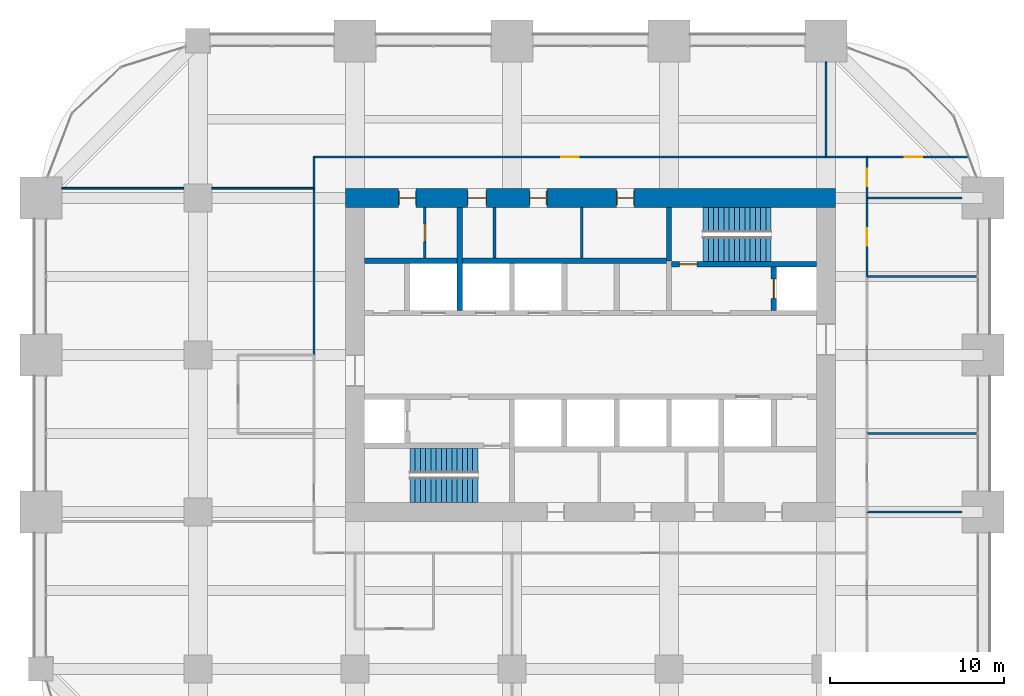
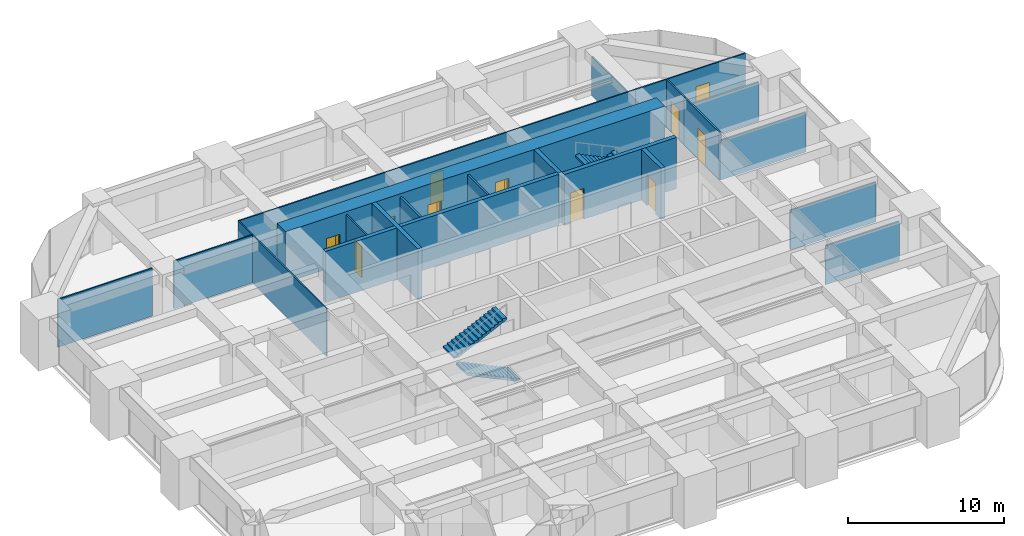
# One storey, part 31 of 32: 22 walls, 11 doors, 4 stair flights, 11 openings, 2 elements without a shape of their own.
"""IFC4 building model written with IfcOpenShell, lengths in metres."""

from ifc_helpers import new_model, si_unit, direction, frame, frame_2d, origin, place, context, subcontext, project, spatial, polyline, rectangle, outline, extrude, material, layer, layer_set, type_object, element, fill, aggregate, save


model = new_model("IFC4")

# Units and contexts
model_context = context("Model", 3, precision=1e-05, world=origin(), true_north=direction((0.0, 1.0)))
body_context = subcontext(model_context, "Body", "Model", "MODEL_VIEW")
ifc_project = project(units=[si_unit("LENGTHUNIT", "METRE"), si_unit("AREAUNIT", "SQUARE_METRE"), si_unit("VOLUMEUNIT", "CUBIC_METRE"), si_unit("PLANEANGLEUNIT", "RADIAN"), si_unit("MASSUNIT", "GRAM", prefix="KILO")], contexts=[model_context])

# Site, building, storey
site_placement = place(None, origin())
site = spatial("IfcSite", under=ifc_project, at=site_placement, CompositionType="ELEMENT")
building_placement = place(site_placement, origin())
building = spatial("IfcBuilding", under=site, at=building_placement, Name="Zorevar Civic Tower", CompositionType="ELEMENT")
storey_placement = place(building_placement, frame((0.0, 0.0, 182.199951171875)))
storey = spatial("IfcBuildingStorey", under=building, at=storey_placement, Name="L44", CompositionType="ELEMENT", Elevation=182.199951171875)

# Wall, openings, doors
ifc_material_1 = material(Name="Concrete C50/60", Category="concrete")
ifc_layer_1 = layer(ifc_material_1, 1.10009765625)
ifc_layer_set_1 = layer_set([ifc_layer_1], Name="Core wall 1100")
wall_type_1 = type_object("IfcWallType", Name="Core wall 1100", PredefinedType="SHEAR", material=ifc_layer_set_1)
wall_1_placement = place(storey_placement, frame((45.550048828125, 36.0, 0.0), z_axis=(0.0, 0.0, 1.0), x_axis=(-1.0, 0.0, 0.0)))
wall_1 = element("IfcWall", 1, at=wall_1_placement, inside=storey, type_object=wall_type_1, Name="Core wall N L44", PredefinedType="SHEAR", context=body_context, shape_type="SweptSolid", body=[
    extrude(rectangle(XDim=28.10009765625, YDim=1.10009765625, at=frame_2d((14.050048828125, 0.0))), origin(), (0.0, 0.0, 1.0), 4.0),
])
opening_1_placement = place(wall_1_placement, frame((11.550048828125, 0.0, 0.0)))
opening_1 = element("IfcOpeningElement", 2, at=opening_1_placement, cuts=wall_1, Name="Opening L44.07", PredefinedType="OPENING", context=body_context, shape_type="SweptSolid", body=[
    extrude(rectangle(XDim=1.0, YDim=2.39990234375, at=frame_2d((0.5, 1.199951171875))), frame((0.0, 0.56005859375, 0.0), z_axis=(0.0, -1.0, 0.0), x_axis=(1.0, 0.0, 0.0)), (0.0, 0.0, 1.0), 1.1201171875),
])
opening_2_placement = place(wall_1_placement, frame((16.550048828125, 0.0, 0.0)))
opening_2 = element("IfcOpeningElement", 3, at=opening_2_placement, cuts=wall_1, Name="Opening L44.08", PredefinedType="OPENING", context=body_context, shape_type="SweptSolid", body=[
    extrude(rectangle(XDim=1.0, YDim=2.39990234375, at=frame_2d((0.5, 1.199951171875))), frame((0.0, 0.56005859375, 0.0), z_axis=(0.0, -1.0, 0.0), x_axis=(1.0, 0.0, 0.0)), (0.0, 0.0, 1.0), 1.1201171875),
])
opening_3_placement = place(wall_1_placement, frame((20.0, 0.0, 0.0)))
opening_3 = element("IfcOpeningElement", 4, at=opening_3_placement, cuts=wall_1, Name="Opening L44.09", PredefinedType="OPENING", context=body_context, shape_type="SweptSolid", body=[
    extrude(rectangle(XDim=1.10009765625, YDim=2.39990234375, at=frame_2d((0.550048828125, 1.199951171875))), frame((0.0, 0.56005859375, 0.0), z_axis=(0.0, -1.0, 0.0), x_axis=(1.0, 0.0, 0.0)), (0.0, 0.0, 1.0), 1.1201171875),
])
opening_4_placement = place(wall_1_placement, frame((24.050048828125, 0.0, 0.0)))
opening_4 = element("IfcOpeningElement", 5, at=opening_4_placement, cuts=wall_1, Name="Opening L44.10", PredefinedType="OPENING", context=body_context, shape_type="SweptSolid", body=[
    extrude(rectangle(XDim=1.0, YDim=2.39990234375, at=frame_2d((0.5, 1.199951171875))), frame((0.0, 0.56005859375, 0.0), z_axis=(0.0, -1.0, 0.0), x_axis=(1.0, 0.0, 0.0)), (0.0, 0.0, 1.0), 1.1201171875),
])
ifc_material_2 = material(Name="Timber door set", Category="wood")
door_type_1 = type_object("IfcDoorType", Name="Door D1 1000x2400", OperationType="SINGLE_SWING_LEFT", PredefinedType="DOOR", material=ifc_material_2)
door_1_placement = place(opening_1_placement, origin())
door_1 = element("IfcDoor", 6, at=door_1_placement, inside=storey, type_object=door_type_1, Name="Door L44 06", OperationType="SINGLE_SWING_RIGHT", OverallHeight=2.39990234375, OverallWidth=1.0, PredefinedType="DOOR", context=body_context, shape_type="SweptSolid", body=[
    extrude(rectangle(XDim=1.0, YDim=2.39990234375, at=frame_2d((0.5, 1.199951171875))), frame((0.0, 0.02490234375, 0.0), z_axis=(0.0, -1.0, 0.0), x_axis=(1.0, 0.0, 0.0)), (0.0, 0.0, 1.0), 0.050048828125),
    extrude(rectangle(XDim=0.04, YDim=2.39990234375, at=frame_2d((0.02001953125, 1.199951171875))), frame((0.0, 0.39990234375, 0.0), z_axis=(0.0, -1.0, 0.0), x_axis=(1.0, 0.0, 0.0)), (0.0, 0.0, 1.0), 0.800048828125),
    extrude(rectangle(XDim=0.04, YDim=2.39990234375, at=frame_2d((0.97998046875, 1.199951171875))), frame((0.0, 0.39990234375, 0.0), z_axis=(0.0, -1.0, 0.0), x_axis=(1.0, 0.0, 0.0)), (0.0, 0.0, 1.0), 0.800048828125),
    extrude(rectangle(XDim=1.0, YDim=0.04, at=frame_2d((0.5, 2.3798828125))), frame((0.0, 0.39990234375, 0.0), z_axis=(0.0, -1.0, 0.0), x_axis=(1.0, 0.0, 0.0)), (0.0, 0.0, 1.0), 0.800048828125),
])
fill(opening_1, door_1)
door_2_placement = place(opening_2_placement, origin())
door_2 = element("IfcDoor", 7, at=door_2_placement, inside=storey, type_object=door_type_1, Name="Door L44 07", OperationType="SINGLE_SWING_LEFT", OverallHeight=2.39990234375, OverallWidth=1.0, PredefinedType="DOOR", context=body_context, shape_type="SweptSolid", body=[
    extrude(rectangle(XDim=1.0, YDim=2.39990234375, at=frame_2d((0.5, 1.199951171875))), frame((0.0, 0.02490234375, 0.0), z_axis=(0.0, -1.0, 0.0), x_axis=(1.0, 0.0, 0.0)), (0.0, 0.0, 1.0), 0.050048828125),
    extrude(rectangle(XDim=0.04, YDim=2.39990234375, at=frame_2d((0.02001953125, 1.199951171875))), frame((0.0, 0.39990234375, 0.0), z_axis=(0.0, -1.0, 0.0), x_axis=(1.0, 0.0, 0.0)), (0.0, 0.0, 1.0), 0.800048828125),
    extrude(rectangle(XDim=0.04, YDim=2.39990234375, at=frame_2d((0.97998046875, 1.199951171875))), frame((0.0, 0.39990234375, 0.0), z_axis=(0.0, -1.0, 0.0), x_axis=(1.0, 0.0, 0.0)), (0.0, 0.0, 1.0), 0.800048828125),
    extrude(rectangle(XDim=1.0, YDim=0.04, at=frame_2d((0.5, 2.3798828125))), frame((0.0, 0.39990234375, 0.0), z_axis=(0.0, -1.0, 0.0), x_axis=(1.0, 0.0, 0.0)), (0.0, 0.0, 1.0), 0.800048828125),
])
fill(opening_2, door_2)
door_3_placement = place(opening_4_placement, origin())
door_3 = element("IfcDoor", 8, at=door_3_placement, inside=storey, type_object=door_type_1, Name="Door L44 09", OperationType="SINGLE_SWING_LEFT", OverallHeight=2.39990234375, OverallWidth=1.0, PredefinedType="DOOR", context=body_context, shape_type="SweptSolid", body=[
    extrude(rectangle(XDim=1.0, YDim=2.39990234375, at=frame_2d((0.5, 1.199951171875))), frame((0.0, 0.02490234375, 0.0), z_axis=(0.0, -1.0, 0.0), x_axis=(1.0, 0.0, 0.0)), (0.0, 0.0, 1.0), 0.050048828125),
    extrude(rectangle(XDim=0.04, YDim=2.39990234375, at=frame_2d((0.02001953125, 1.199951171875))), frame((0.0, 0.39990234375, 0.0), z_axis=(0.0, -1.0, 0.0), x_axis=(1.0, 0.0, 0.0)), (0.0, 0.0, 1.0), 0.800048828125),
    extrude(rectangle(XDim=0.04, YDim=2.39990234375, at=frame_2d((0.97998046875, 1.199951171875))), frame((0.0, 0.39990234375, 0.0), z_axis=(0.0, -1.0, 0.0), x_axis=(1.0, 0.0, 0.0)), (0.0, 0.0, 1.0), 0.800048828125),
    extrude(rectangle(XDim=1.0, YDim=0.04, at=frame_2d((0.5, 2.3798828125))), frame((0.0, 0.39990234375, 0.0), z_axis=(0.0, -1.0, 0.0), x_axis=(1.0, 0.0, 0.0)), (0.0, 0.0, 1.0), 0.800048828125),
])
fill(opening_4, door_3)
ifc_material_3 = material(Name="Timber door set", Category="wood")
door_type_2 = type_object("IfcDoorType", Name="Door D5 1100x2400", OperationType="SINGLE_SWING_LEFT", PredefinedType="DOOR", material=ifc_material_3)
door_4_placement = place(opening_3_placement, origin())
door_4 = element("IfcDoor", 9, at=door_4_placement, inside=storey, type_object=door_type_2, Name="Door L44 08", OperationType="SINGLE_SWING_LEFT", OverallHeight=2.39990234375, OverallWidth=1.10009765625, PredefinedType="DOOR", context=body_context, shape_type="SweptSolid", body=[
    extrude(rectangle(XDim=1.10009765625, YDim=2.39990234375, at=frame_2d((0.550048828125, 1.199951171875))), frame((0.0, 0.02490234375, 0.0), z_axis=(0.0, -1.0, 0.0), x_axis=(1.0, 0.0, 0.0)), (0.0, 0.0, 1.0), 0.050048828125),
    extrude(rectangle(XDim=0.04, YDim=2.39990234375, at=frame_2d((0.02001953125, 1.199951171875))), frame((0.0, 0.43994140625, 0.0), z_axis=(0.0, -1.0, 0.0), x_axis=(1.0, 0.0, 0.0)), (0.0, 0.0, 1.0), 0.880126953125),
    extrude(rectangle(XDim=0.04, YDim=2.39990234375, at=frame_2d((1.080078125, 1.199951171875))), frame((0.0, 0.43994140625, 0.0), z_axis=(0.0, -1.0, 0.0), x_axis=(1.0, 0.0, 0.0)), (0.0, 0.0, 1.0), 0.880126953125),
    extrude(rectangle(XDim=1.10009765625, YDim=0.04, at=frame_2d((0.550048828125, 2.3798828125))), frame((0.0, 0.43994140625, 0.0), z_axis=(0.0, -1.0, 0.0), x_axis=(1.0, 0.0, 0.0)), (0.0, 0.0, 1.0), 0.880126953125),
])
fill(opening_3, door_4)

# Walls
ifc_material_4 = material(Name="Laminated glass in black aluminium frame", Category="aluminium")
ifc_layer_2 = layer(ifc_material_4, 0.10009765625)
ifc_layer_set_2 = layer_set([ifc_layer_2], Name="Glazed partition 100")
wall_type_2 = type_object("IfcWallType", Name="Glazed partition 100", PredefinedType="PARTITIONING", material=ifc_layer_set_2)
wall_2_placement = place(storey_placement, frame((1.199951171875, 36.550048828125, 0.0), z_axis=(0.0, 0.0, 1.0), x_axis=(1.0, 0.0, 0.0)))
element("IfcWall", 10, at=wall_2_placement, inside=storey, type_object=wall_type_2, Name="Glazed partition 100 L44", PredefinedType="PARTITIONING", context=body_context, shape_type="SweptSolid", body=[
    extrude(rectangle(XDim=7.0, YDim=0.10009765625, at=frame_2d((3.5, 0.0))), origin(), (0.0, 0.0, 1.0), 3.75),
])
wall_3_placement = place(storey_placement, frame((9.800048828125, 36.550048828125, 0.0), z_axis=(0.0, 0.0, 1.0), x_axis=(1.0, 0.0, 0.0)))
element("IfcWall", 11, at=wall_3_placement, inside=storey, type_object=wall_type_2, Name="Glazed partition 100 L44", PredefinedType="PARTITIONING", context=body_context, shape_type="SweptSolid", body=[
    extrude(rectangle(XDim=5.849853515625, YDim=0.10009765625, at=frame_2d((2.9248046875, 0.0))), origin(), (0.0, 0.0, 1.0), 3.75),
])

# Wall, opening, door
wall_4_placement = place(storey_placement, frame((15.64990234375, 38.35009765625, 0.0), z_axis=(0.0, 0.0, 1.0), x_axis=(1.0, 0.0, 0.0)))
wall_4 = element("IfcWall", 12, at=wall_4_placement, inside=storey, type_object=wall_type_2, Name="Glazed partition 100 L44", PredefinedType="PARTITIONING", context=body_context, shape_type="SweptSolid", body=[
    extrude(rectangle(XDim=29.35009765625, YDim=0.10009765625, at=frame_2d((14.675048828125, 0.0))), origin(), (0.0, 0.0, 1.0), 3.75),
])
opening_5_placement = place(wall_4_placement, frame((14.175048828125, 0.0, 0.0)))
opening_5 = element("IfcOpeningElement", 13, at=opening_5_placement, cuts=wall_4, Name="Opening L44.28", PredefinedType="OPENING", context=body_context, shape_type="SweptSolid", body=[
    extrude(rectangle(XDim=1.0, YDim=2.39990234375, at=frame_2d((0.5, 1.199951171875))), frame((0.0, 0.06005859375, 0.0), z_axis=(0.0, -1.0, 0.0), x_axis=(1.0, 0.0, 0.0)), (0.0, 0.0, 1.0), 0.1201171875),
])
ifc_material_5 = material(Name="Timber door set", Category="wood")
door_type_3 = type_object("IfcDoorType", Name="Glazed door GD1 1000x2400", OperationType="SINGLE_SWING_LEFT", PredefinedType="DOOR", material=ifc_material_5)
door_5_placement = place(opening_5_placement, origin())
door_5 = element("IfcDoor", 14, at=door_5_placement, inside=storey, type_object=door_type_3, Name="Door L44 D1", OperationType="SINGLE_SWING_LEFT", OverallHeight=2.39990234375, OverallWidth=1.0, PredefinedType="DOOR", context=body_context, shape_type="SweptSolid", body=[
    extrude(rectangle(XDim=1.0, YDim=2.39990234375, at=frame_2d((0.5, 1.199951171875))), frame((0.0, 0.02001953125, 0.0), z_axis=(0.0, -1.0, 0.0), x_axis=(1.0, 0.0, 0.0)), (0.0, 0.0, 1.0), 0.0400390625),
])
fill(opening_5, door_5)

# Wall
wall_5_placement = place(storey_placement, frame((45.0, 38.35009765625, 0.0), z_axis=(0.0, 0.0, 1.0), x_axis=(1.0, 0.0, 0.0)))
element("IfcWall", 15, at=wall_5_placement, inside=storey, type_object=wall_type_2, Name="Glazed partition 100 L44", PredefinedType="PARTITIONING", context=body_context, shape_type="SweptSolid", body=[
    extrude(rectangle(XDim=2.35009765625, YDim=0.10009765625, at=frame_2d((1.175048828125, 0.0))), origin(), (0.0, 0.0, 1.0), 3.75),
])

# Wall, opening, door
wall_6_placement = place(storey_placement, frame((47.35009765625, 38.35009765625, 0.0), z_axis=(0.0, 0.0, 1.0), x_axis=(1.0, 0.0, 0.0)))
wall_6 = element("IfcWall", 16, at=wall_6_placement, inside=storey, type_object=wall_type_2, Name="Glazed partition 100 L44", PredefinedType="PARTITIONING", context=body_context, shape_type="SweptSolid", body=[
    extrude(rectangle(XDim=5.80615234375, YDim=0.10009765625, at=frame_2d((2.903076171875, 0.0))), origin(), (0.0, 0.0, 1.0), 3.75),
])
opening_6_placement = place(wall_6_placement, frame((2.14990234375, 0.0, 0.0)))
opening_6 = element("IfcOpeningElement", 17, at=opening_6_placement, cuts=wall_6, Name="Opening L44.29", PredefinedType="OPENING", context=body_context, shape_type="SweptSolid", body=[
    extrude(rectangle(XDim=1.0, YDim=2.39990234375, at=frame_2d((0.5, 1.199951171875))), frame((0.0, 0.06005859375, 0.0), z_axis=(0.0, -1.0, 0.0), x_axis=(1.0, 0.0, 0.0)), (0.0, 0.0, 1.0), 0.1201171875),
])
door_6_placement = place(opening_6_placement, origin())
door_6 = element("IfcDoor", 18, at=door_6_placement, inside=storey, type_object=door_type_3, Name="Door L44 D1", OperationType="SINGLE_SWING_RIGHT", OverallHeight=2.39990234375, OverallWidth=1.0, PredefinedType="DOOR", context=body_context, shape_type="SweptSolid", body=[
    extrude(rectangle(XDim=1.0, YDim=2.39990234375, at=frame_2d((0.5, 1.199951171875))), frame((0.0, 0.02001953125, 0.0), z_axis=(0.0, -1.0, 0.0), x_axis=(1.0, 0.0, 0.0)), (0.0, 0.0, 1.0), 0.0400390625),
])
fill(opening_6, door_6)

# Walls
wall_7_placement = place(storey_placement, frame((15.64990234375, 27.0, 0.0), z_axis=(0.0, 0.0, 1.0), x_axis=(0.0, 1.0, 0.0)))
element("IfcWall", 19, at=wall_7_placement, inside=storey, type_object=wall_type_2, Name="Glazed partition 100 L44", PredefinedType="PARTITIONING", context=body_context, shape_type="SweptSolid", body=[
    extrude(rectangle(XDim=11.35009765625, YDim=0.10009765625, at=frame_2d((5.675048828125, 0.0))), origin(), (0.0, 0.0, 1.0), 3.75),
])
wall_8_placement = place(storey_placement, frame((45.0, 38.35009765625, 0.0), z_axis=(0.0, 0.0, 1.0), x_axis=(0.0, 1.0, 0.0)))
element("IfcWall", 20, at=wall_8_placement, inside=storey, type_object=wall_type_2, Name="Glazed partition 100 L44", PredefinedType="PARTITIONING", context=body_context, shape_type="SweptSolid", body=[
    extrude(rectangle(XDim=5.449951171875, YDim=0.10009765625, at=frame_2d((2.72509765625, 0.0))), origin(), (0.0, 0.0, 1.0), 3.050048828125),
])

# Wall, opening, door
wall_9_placement = place(storey_placement, frame((47.35009765625, 36.0, 0.0), z_axis=(0.0, 0.0, 1.0), x_axis=(0.0, 1.0, 0.0)))
wall_9 = element("IfcWall", 21, at=wall_9_placement, inside=storey, type_object=wall_type_2, Name="Glazed partition 100 L44", PredefinedType="PARTITIONING", context=body_context, shape_type="SweptSolid", body=[
    extrude(rectangle(XDim=2.35009765625, YDim=0.10009765625, at=frame_2d((1.175048828125, 0.0))), origin(), (0.0, 0.0, 1.0), 3.75),
])
opening_7_placement = place(wall_9_placement, frame((0.675048828125, 0.0, 0.0)))
opening_7 = element("IfcOpeningElement", 22, at=opening_7_placement, cuts=wall_9, Name="Opening L44.36", PredefinedType="OPENING", context=body_context, shape_type="SweptSolid", body=[
    extrude(rectangle(XDim=1.0, YDim=2.39990234375, at=frame_2d((0.5, 1.199951171875))), frame((0.0, 0.06005859375, 0.0), z_axis=(0.0, -1.0, 0.0), x_axis=(1.0, 0.0, 0.0)), (0.0, 0.0, 1.0), 0.1201171875),
])
door_7_placement = place(opening_7_placement, origin())
door_7 = element("IfcDoor", 23, at=door_7_placement, inside=storey, type_object=door_type_3, Name="Door L44 D1", OperationType="SINGLE_SWING_RIGHT", OverallHeight=2.39990234375, OverallWidth=1.0, PredefinedType="DOOR", context=body_context, shape_type="SweptSolid", body=[
    extrude(rectangle(XDim=1.0, YDim=2.39990234375, at=frame_2d((0.5, 1.199951171875))), frame((0.0, 0.02001953125, 0.0), z_axis=(0.0, -1.0, 0.0), x_axis=(1.0, 0.0, 0.0)), (0.0, 0.0, 1.0), 0.0400390625),
])
fill(opening_7, door_7)

ifc_material_6 = material(Name="Concrete C40/50", Category="concrete")
ifc_layer_3 = layer(ifc_material_6, 0.300048828125)
ifc_layer_set_3 = layer_set([ifc_layer_3], Name="Inner core wall 300")
wall_type_3 = type_object("IfcWallType", Name="Inner core wall 300", PredefinedType="SHEAR", material=ifc_layer_set_3)
wall_10_placement = place(storey_placement, frame((36.14990234375, 32.199951171875, 0.0), z_axis=(0.0, 0.0, 1.0), x_axis=(1.0, 0.0, 0.0)))
wall_10 = element("IfcWall", 24, at=wall_10_placement, inside=storey, type_object=wall_type_3, Name="Inner core wall N00 L44", PredefinedType="SHEAR", context=body_context, shape_type="SweptSolid", body=[
    extrude(rectangle(XDim=8.300048828125, YDim=0.300048828125, at=frame_2d((4.14990234375, 0.0))), origin(), (0.0, 0.0, 1.0), 4.0),
])
opening_8_placement = place(wall_10_placement, frame((0.449951171875, 0.0, 0.0)))
opening_8 = element("IfcOpeningElement", 25, at=opening_8_placement, cuts=wall_10, Name="Opening L44.12", PredefinedType="OPENING", context=body_context, shape_type="SweptSolid", body=[
    extrude(rectangle(XDim=1.0, YDim=2.39990234375, at=frame_2d((0.5, 1.199951171875))), frame((0.0, 0.159912109375, 0.0), z_axis=(0.0, -1.0, 0.0), x_axis=(1.0, 0.0, 0.0)), (0.0, 0.0, 1.0), 0.320068359375),
])
ifc_material_7 = material(Name="Steel door set", Category="steel")
door_type_4 = type_object("IfcDoorType", Name="Fire door FD1 1000x2400", OperationType="SINGLE_SWING_LEFT", PredefinedType="DOOR", material=ifc_material_7)
door_8_placement = place(opening_8_placement, origin())
door_8 = element("IfcDoor", 26, at=door_8_placement, inside=storey, type_object=door_type_4, Name="Door L44 11", OperationType="SINGLE_SWING_RIGHT", OverallHeight=2.39990234375, OverallWidth=1.0, PredefinedType="DOOR", context=body_context, shape_type="SweptSolid", body=[
    extrude(rectangle(XDim=1.0, YDim=2.39990234375, at=frame_2d((0.5, 1.199951171875))), frame((0.0, 0.030029296875, 0.0), z_axis=(0.0, -1.0, 0.0), x_axis=(1.0, 0.0, 0.0)), (0.0, 0.0, 1.0), 0.06005859375),
])
fill(opening_8, door_8)

# Wall
wall_11_placement = place(storey_placement, frame((36.0, 32.39990234375, 0.0), z_axis=(0.0, 0.0, 1.0), x_axis=(0.0, 1.0, 0.0)))
element("IfcWall", 27, at=wall_11_placement, inside=storey, type_object=wall_type_3, Name="Inner core wall N01 L44", PredefinedType="SHEAR", context=body_context, shape_type="SweptSolid", body=[
    extrude(rectangle(XDim=3.050048828125, YDim=0.300048828125, at=frame_2d((1.52490234375, 0.0))), origin(), (0.0, 0.0, 1.0), 4.0),
])

# Wall, opening, door
wall_12_placement = place(storey_placement, frame((42.0, 29.550048828125, 0.0), z_axis=(0.0, 0.0, 1.0), x_axis=(0.0, 1.0, 0.0)))
wall_12 = element("IfcWall", 28, at=wall_12_placement, inside=storey, type_object=wall_type_3, Name="Inner core wall N02 L44", PredefinedType="SHEAR", context=body_context, shape_type="SweptSolid", body=[
    extrude(rectangle(XDim=2.5, YDim=0.300048828125, at=frame_2d((1.25, 0.0))), origin(), (0.0, 0.0, 1.0), 4.0),
])
opening_9_placement = place(wall_12_placement, frame((0.699951171875, 0.0, 0.0)))
opening_9 = element("IfcOpeningElement", 29, at=opening_9_placement, cuts=wall_12, Name="Opening L44.FL2", PredefinedType="OPENING", context=body_context, shape_type="SweptSolid", body=[
    extrude(rectangle(XDim=1.10009765625, YDim=2.39990234375, at=frame_2d((0.550048828125, 1.199951171875))), frame((0.0, 0.159912109375, 0.0), z_axis=(0.0, -1.0, 0.0), x_axis=(1.0, 0.0, 0.0)), (0.0, 0.0, 1.0), 0.320068359375),
])
ifc_material_8 = material(Name="Steel door set", Category="steel")
door_type_5 = type_object("IfcDoorType", Name="Firefighting lift landing door LD3 1100x2400", OperationType="DOUBLE_DOOR_SLIDING", PredefinedType="DOOR", material=ifc_material_8)
door_9_placement = place(opening_9_placement, origin())
door_9 = element("IfcDoor", 30, at=door_9_placement, inside=storey, type_object=door_type_5, Name="Landing door FL2 L44", OperationType="DOUBLE_DOOR_SLIDING", OverallHeight=2.39990234375, OverallWidth=1.10009765625, PredefinedType="DOOR", context=body_context, shape_type="SweptSolid", body=[
    extrude(rectangle(XDim=1.10009765625, YDim=2.39990234375, at=frame_2d((0.550048828125, 1.199951171875))), frame((0.0, 0.030029296875, 0.0), z_axis=(0.0, -1.0, 0.0), x_axis=(1.0, 0.0, 0.0)), (0.0, 0.0, 1.0), 0.06005859375),
])
fill(opening_9, door_9)

# Walls
wall_13_placement = place(storey_placement, frame((18.550048828125, 32.39990234375, 0.0), z_axis=(0.0, 0.0, 1.0), x_axis=(1.0, 0.0, 0.0)))
element("IfcWall", 31, at=wall_13_placement, inside=storey, type_object=wall_type_3, Name="Inner core wall N04 L44", PredefinedType="SHEAR", context=body_context, shape_type="SweptSolid", body=[
    extrude(rectangle(XDim=17.300048828125, YDim=0.300048828125, at=frame_2d((8.64990234375, 0.0))), origin(), (0.0, 0.0, 1.0), 4.0),
])
wall_14_placement = place(storey_placement, frame((24.0, 29.550048828125, 0.0), z_axis=(0.0, 0.0, 1.0), x_axis=(0.0, 1.0, 0.0)))
element("IfcWall", 32, at=wall_14_placement, inside=storey, type_object=wall_type_3, Name="Inner core wall N08 L44", PredefinedType="SHEAR", context=body_context, shape_type="SweptSolid", body=[
    extrude(rectangle(XDim=5.89990234375, YDim=0.300048828125, at=frame_2d((2.949951171875, 0.0))), origin(), (0.0, 0.0, 1.0), 4.0),
])
ifc_material_9 = material(Name="Gypsum board on steel studs", Category="steel")
ifc_layer_4 = layer(ifc_material_9, 0.1201171875)
ifc_layer_set_4 = layer_set([ifc_layer_4], Name="Partition 120")
wall_type_4 = type_object("IfcWallType", Name="Partition 120", PredefinedType="PARTITIONING", material=ifc_layer_set_4)
wall_15_placement = place(storey_placement, frame((47.35009765625, 18.0, 0.0), z_axis=(0.0, 0.0, 1.0), x_axis=(1.0, 0.0, 0.0)))
element("IfcWall", 33, at=wall_15_placement, inside=storey, type_object=wall_type_4, Name="Partition 120 L44", PredefinedType="PARTITIONING", context=body_context, shape_type="SweptSolid", body=[
    extrude(rectangle(XDim=5.449951171875, YDim=0.1201171875, at=frame_2d((2.72509765625, 0.0))), origin(), (0.0, 0.0, 1.0), 3.050048828125),
])
for number, where, z_axis, x_axis, name in (
    (34, (47.35009765625, 22.5, 0.0), (0.0, 0.0, 1.0), (1.0, 0.0, 0.0), "Partition 120 L44"),
    (35, (47.35009765625, 31.5, 0.0), (0.0, 0.0, 1.0), (1.0, 0.0, 0.0), "Partition 120 L44"),
):
    element("IfcWall", number, at=place(storey_placement, frame(where, z_axis=z_axis, x_axis=x_axis)), inside=storey, type_object=wall_type_4, Name=name, PredefinedType="PARTITIONING", context=body_context, shape_type="SweptSolid", body=[
        extrude(rectangle(XDim=6.33984375, YDim=0.1201171875, at=frame_2d((3.169921875, 0.0))), origin(), (0.0, 0.0, 1.0), 3.10009765625),
    ])
wall_16_placement = place(storey_placement, frame((47.35009765625, 36.0, 0.0), z_axis=(0.0, 0.0, 1.0), x_axis=(1.0, 0.0, 0.0)))
element("IfcWall", 36, at=wall_16_placement, inside=storey, type_object=wall_type_4, Name="Partition 120 L44", PredefinedType="PARTITIONING", context=body_context, shape_type="SweptSolid", body=[
    extrude(rectangle(XDim=5.449951171875, YDim=0.1201171875, at=frame_2d((2.72509765625, 0.0))), origin(), (0.0, 0.0, 1.0), 3.050048828125),
])

# Wall, opening, door
wall_17_placement = place(storey_placement, frame((47.35009765625, 31.5, 0.0), z_axis=(0.0, 0.0, 1.0), x_axis=(0.0, 1.0, 0.0)))
wall_17 = element("IfcWall", 37, at=wall_17_placement, inside=storey, type_object=wall_type_4, Name="Partition 120 L44", PredefinedType="PARTITIONING", context=body_context, shape_type="SweptSolid", body=[
    extrude(rectangle(XDim=4.5, YDim=0.1201171875, at=frame_2d((2.25, 0.0))), origin(), (0.0, 0.0, 1.0), 3.75),
])
opening_10_placement = place(wall_17_placement, frame((1.75, 0.0, 0.0)))
opening_10 = element("IfcOpeningElement", 38, at=opening_10_placement, cuts=wall_17, Name="Opening L44.35", PredefinedType="OPENING", context=body_context, shape_type="SweptSolid", body=[
    extrude(rectangle(XDim=1.0, YDim=2.39990234375, at=frame_2d((0.5, 1.199951171875))), frame((0.0, 0.070068359375, 0.0), z_axis=(0.0, -1.0, 0.0), x_axis=(1.0, 0.0, 0.0)), (0.0, 0.0, 1.0), 0.14013671875),
])
door_10_placement = place(opening_10_placement, origin())
door_10 = element("IfcDoor", 39, at=door_10_placement, inside=storey, type_object=door_type_1, Name="Door L44 D1", OperationType="SINGLE_SWING_LEFT", OverallHeight=2.39990234375, OverallWidth=1.0, PredefinedType="DOOR", context=body_context, shape_type="SweptSolid", body=[
    extrude(rectangle(XDim=1.0, YDim=2.39990234375, at=frame_2d((0.5, 1.199951171875))), frame((0.0, 0.02490234375, 0.0), z_axis=(0.0, -1.0, 0.0), x_axis=(1.0, 0.0, 0.0)), (0.0, 0.0, 1.0), 0.050048828125),
])
fill(opening_10, door_10)

wall_18_placement = place(storey_placement, frame((22.0, 32.550048828125, 0.0), z_axis=(0.0, 0.0, 1.0), x_axis=(0.0, 1.0, 0.0)))
wall_18 = element("IfcWall", 40, at=wall_18_placement, inside=storey, type_object=wall_type_4, Name="Partition L44", PredefinedType="PARTITIONING", context=body_context, shape_type="SweptSolid", body=[
    extrude(rectangle(XDim=2.89990234375, YDim=0.1201171875, at=frame_2d((1.449951171875, 0.0))), origin(), (0.0, 0.0, 1.0), 3.75),
])
opening_11_placement = place(wall_18_placement, frame((0.949951171875, 0.0, 0.0)))
opening_11 = element("IfcOpeningElement", 41, at=opening_11_placement, cuts=wall_18, Name="Opening L44.37", PredefinedType="OPENING", context=body_context, shape_type="SweptSolid", body=[
    extrude(rectangle(XDim=1.0, YDim=2.39990234375, at=frame_2d((0.5, 1.199951171875))), frame((0.0, 0.070068359375, 0.0), z_axis=(0.0, -1.0, 0.0), x_axis=(1.0, 0.0, 0.0)), (0.0, 0.0, 1.0), 0.14013671875),
])
door_11_placement = place(opening_11_placement, origin())
door_11 = element("IfcDoor", 42, at=door_11_placement, inside=storey, type_object=door_type_4, Name="Door L44 EN", OperationType="SINGLE_SWING_RIGHT", OverallHeight=2.39990234375, OverallWidth=1.0, PredefinedType="DOOR", context=body_context, shape_type="SweptSolid", body=[
    extrude(rectangle(XDim=1.0, YDim=2.39990234375, at=frame_2d((0.5, 1.199951171875))), frame((0.0, 0.030029296875, 0.0), z_axis=(0.0, -1.0, 0.0), x_axis=(1.0, 0.0, 0.0)), (0.0, 0.0, 1.0), 0.06005859375),
])
fill(opening_11, door_11)

# Walls
ifc_material_10 = material(Name="Gypsum board on steel studs, moisture resistant", Category="steel")
ifc_layer_5 = layer(ifc_material_10, 0.14990234375)
ifc_layer_set_5 = layer_set([ifc_layer_5], Name="WC partition 150")
wall_type_5 = type_object("IfcWallType", Name="WC partition 150", PredefinedType="PARTITIONING", material=ifc_layer_set_5)
for number, where, z_axis, x_axis, name in (
    (43, (31.0, 32.550048828125, 0.0), (0.0, 0.0, 1.0), (0.0, 1.0, 0.0), "WC partition L44"),
    (44, (26.0, 32.550048828125, 0.0), (0.0, 0.0, 1.0), (0.0, 1.0, 0.0), "WC partition L44"),
):
    element("IfcWall", number, at=place(storey_placement, frame(where, z_axis=z_axis, x_axis=x_axis)), inside=storey, type_object=wall_type_5, Name=name, PredefinedType="PARTITIONING", context=body_context, shape_type="SweptSolid", body=[
        extrude(rectangle(XDim=2.89990234375, YDim=0.14990234375, at=frame_2d((1.449951171875, 0.0))), origin(), (0.0, 0.0, 1.0), 3.75),
    ])

# Stair, stair flights
ifc_material_11 = material(Name="Precast concrete C40/50", Category="concrete")
stair_type = type_object("IfcStairType", Name="Stair ST 28R", PredefinedType="HALF_TURN_STAIR", material=ifc_material_11)
stair_1_placement = place(storey_placement, origin())
stair_1 = element("IfcStair", 45, at=stair_1_placement, inside=storey, type_object=stair_type, Name="Stair ST1 L44", PredefinedType="HALF_TURN_STAIR")
ifc_material_12 = material(Name="Precast concrete C40/50", Category="concrete")
stair_flight_type = type_object("IfcStairFlightType", Name="Stair flight", PredefinedType="STRAIGHT", material=ifc_material_12)
stair_flight_1_placement = place(storey_placement, frame((25.050048828125, 19.262451171875, 0.0), z_axis=(0.0, 0.0, 1.0), x_axis=(-1.0, 0.0, 0.0)))
stair_flight_1 = element("IfcStairFlight", 46, at=stair_flight_1_placement, type_object=stair_flight_type, Name="ST1 flight 1", NumberOfRisers=14, NumberOfTreads=13, PredefinedType="STRAIGHT", RiserHeight=0.142857143, TreadLength=0.3, context=body_context, shape_type="SweptSolid", body=[
    extrude(outline(polyline([(0.0, 0.0), (0.0, 0.142822265625), (0.300048828125, 0.142822265625), (0.300048828125, 0.28564453125), (0.60009765625, 0.28564453125), (0.60009765625, 0.428466796875), (0.89990234375, 0.428466796875), (0.89990234375, 0.571533203125), (1.199951171875, 0.571533203125), (1.199951171875, 0.71435546875), (1.5, 0.71435546875), (1.5, 0.857177734375), (1.800048828125, 0.857177734375), (1.800048828125, 1.0), (2.10009765625, 1.0), (2.10009765625, 1.142822265625), (2.39990234375, 1.142822265625), (2.39990234375, 1.28564453125), (2.699951171875, 1.28564453125), (2.699951171875, 1.428466796875), (3.0, 1.428466796875), (3.0, 1.571533203125), (3.300048828125, 1.571533203125), (3.300048828125, 1.71435546875), (3.60009765625, 1.71435546875), (3.60009765625, 1.857177734375), (3.89990234375, 1.857177734375), (3.89990234375, 2.0), (3.89990234375, 1.691162109375), (0.3486328125, 0.0), (0.0, 0.0)])), frame((0.0, 0.71240234375, 0.0), z_axis=(0.0, -1.0, 0.0), x_axis=(1.0, 0.0, 0.0)), (0.0, 0.0, 1.0), 1.425048828125),
])
stair_flight_2_placement = place(storey_placement, frame((21.14990234375, 20.9375, 2.0), z_axis=(0.0, 0.0, 1.0), x_axis=(1.0, 0.0, 0.0)))
stair_flight_2 = element("IfcStairFlight", 47, at=stair_flight_2_placement, type_object=stair_flight_type, Name="ST1 flight 2", NumberOfRisers=14, NumberOfTreads=13, PredefinedType="STRAIGHT", RiserHeight=0.142857143, TreadLength=0.3, context=body_context, shape_type="SweptSolid", body=[
    extrude(outline(polyline([(0.0, 0.0), (0.0, 0.142822265625), (0.300048828125, 0.142822265625), (0.300048828125, 0.28564453125), (0.60009765625, 0.28564453125), (0.60009765625, 0.428466796875), (0.89990234375, 0.428466796875), (0.89990234375, 0.571533203125), (1.199951171875, 0.571533203125), (1.199951171875, 0.71435546875), (1.5, 0.71435546875), (1.5, 0.857177734375), (1.800048828125, 0.857177734375), (1.800048828125, 1.0), (2.10009765625, 1.0), (2.10009765625, 1.142822265625), (2.39990234375, 1.142822265625), (2.39990234375, 1.28564453125), (2.699951171875, 1.28564453125), (2.699951171875, 1.428466796875), (3.0, 1.428466796875), (3.0, 1.571533203125), (3.300048828125, 1.571533203125), (3.300048828125, 1.71435546875), (3.60009765625, 1.71435546875), (3.60009765625, 1.857177734375), (3.89990234375, 1.857177734375), (3.89990234375, 2.0), (3.89990234375, 1.691162109375), (0.3486328125, 0.0), (0.0, 0.0)])), frame((0.0, 0.71240234375, 0.0), z_axis=(0.0, -1.0, 0.0), x_axis=(1.0, 0.0, 0.0)), (0.0, 0.0, 1.0), 1.425048828125),
])
aggregate(stair_1, [stair_flight_1, stair_flight_2])

stair_2_placement = place(storey_placement, origin())
stair_2 = element("IfcStair", 48, at=stair_2_placement, inside=storey, type_object=stair_type, Name="Stair ST2 L44", PredefinedType="HALF_TURN_STAIR")
stair_flight_3_placement = place(storey_placement, frame((37.949951171875, 34.737548828125, 0.0), z_axis=(0.0, 0.0, 1.0), x_axis=(1.0, 0.0, 0.0)))
stair_flight_3 = element("IfcStairFlight", 49, at=stair_flight_3_placement, type_object=stair_flight_type, Name="ST2 flight 1", NumberOfRisers=14, NumberOfTreads=13, PredefinedType="STRAIGHT", RiserHeight=0.142857143, TreadLength=0.3, context=body_context, shape_type="SweptSolid", body=[
    extrude(outline(polyline([(0.0, 0.0), (0.0, 0.142822265625), (0.300048828125, 0.142822265625), (0.300048828125, 0.28564453125), (0.60009765625, 0.28564453125), (0.60009765625, 0.428466796875), (0.89990234375, 0.428466796875), (0.89990234375, 0.571533203125), (1.199951171875, 0.571533203125), (1.199951171875, 0.71435546875), (1.5, 0.71435546875), (1.5, 0.857177734375), (1.800048828125, 0.857177734375), (1.800048828125, 1.0), (2.10009765625, 1.0), (2.10009765625, 1.142822265625), (2.39990234375, 1.142822265625), (2.39990234375, 1.28564453125), (2.699951171875, 1.28564453125), (2.699951171875, 1.428466796875), (3.0, 1.428466796875), (3.0, 1.571533203125), (3.300048828125, 1.571533203125), (3.300048828125, 1.71435546875), (3.60009765625, 1.71435546875), (3.60009765625, 1.857177734375), (3.89990234375, 1.857177734375), (3.89990234375, 2.0), (3.89990234375, 1.691162109375), (0.3486328125, 0.0), (0.0, 0.0)])), frame((0.0, 0.71240234375, 0.0), z_axis=(0.0, -1.0, 0.0), x_axis=(1.0, 0.0, 0.0)), (0.0, 0.0, 1.0), 1.425048828125),
])
stair_flight_4_placement = place(storey_placement, frame((41.85009765625, 33.0625, 2.0), z_axis=(0.0, 0.0, 1.0), x_axis=(-1.0, 0.0, 0.0)))
stair_flight_4 = element("IfcStairFlight", 50, at=stair_flight_4_placement, type_object=stair_flight_type, Name="ST2 flight 2", NumberOfRisers=14, NumberOfTreads=13, PredefinedType="STRAIGHT", RiserHeight=0.142857143, TreadLength=0.3, context=body_context, shape_type="SweptSolid", body=[
    extrude(outline(polyline([(0.0, 0.0), (0.0, 0.142822265625), (0.300048828125, 0.142822265625), (0.300048828125, 0.28564453125), (0.60009765625, 0.28564453125), (0.60009765625, 0.428466796875), (0.89990234375, 0.428466796875), (0.89990234375, 0.571533203125), (1.199951171875, 0.571533203125), (1.199951171875, 0.71435546875), (1.5, 0.71435546875), (1.5, 0.857177734375), (1.800048828125, 0.857177734375), (1.800048828125, 1.0), (2.10009765625, 1.0), (2.10009765625, 1.142822265625), (2.39990234375, 1.142822265625), (2.39990234375, 1.28564453125), (2.699951171875, 1.28564453125), (2.699951171875, 1.428466796875), (3.0, 1.428466796875), (3.0, 1.571533203125), (3.300048828125, 1.571533203125), (3.300048828125, 1.71435546875), (3.60009765625, 1.71435546875), (3.60009765625, 1.857177734375), (3.89990234375, 1.857177734375), (3.89990234375, 2.0), (3.89990234375, 1.691162109375), (0.3486328125, 0.0), (0.0, 0.0)])), frame((0.0, 0.71240234375, 0.0), z_axis=(0.0, -1.0, 0.0), x_axis=(1.0, 0.0, 0.0)), (0.0, 0.0, 1.0), 1.425048828125),
])
aggregate(stair_2, [stair_flight_3, stair_flight_4])

save(model, "model.ifc")
